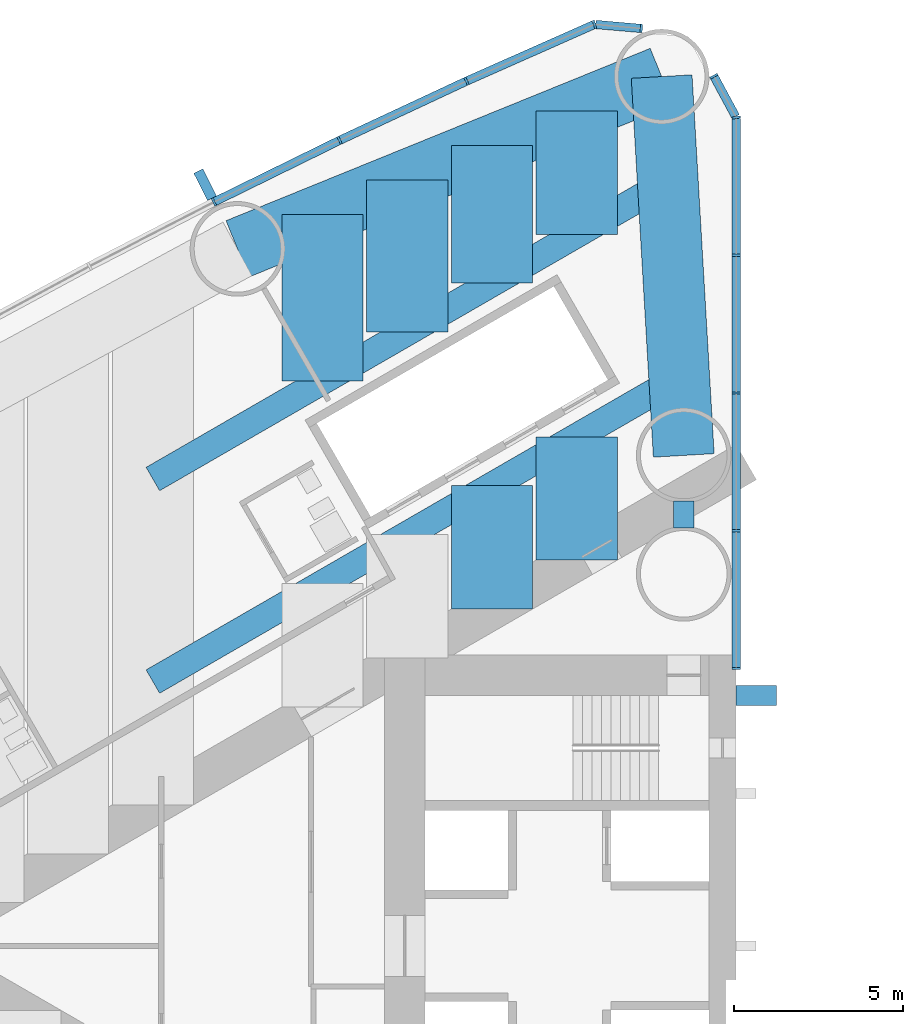
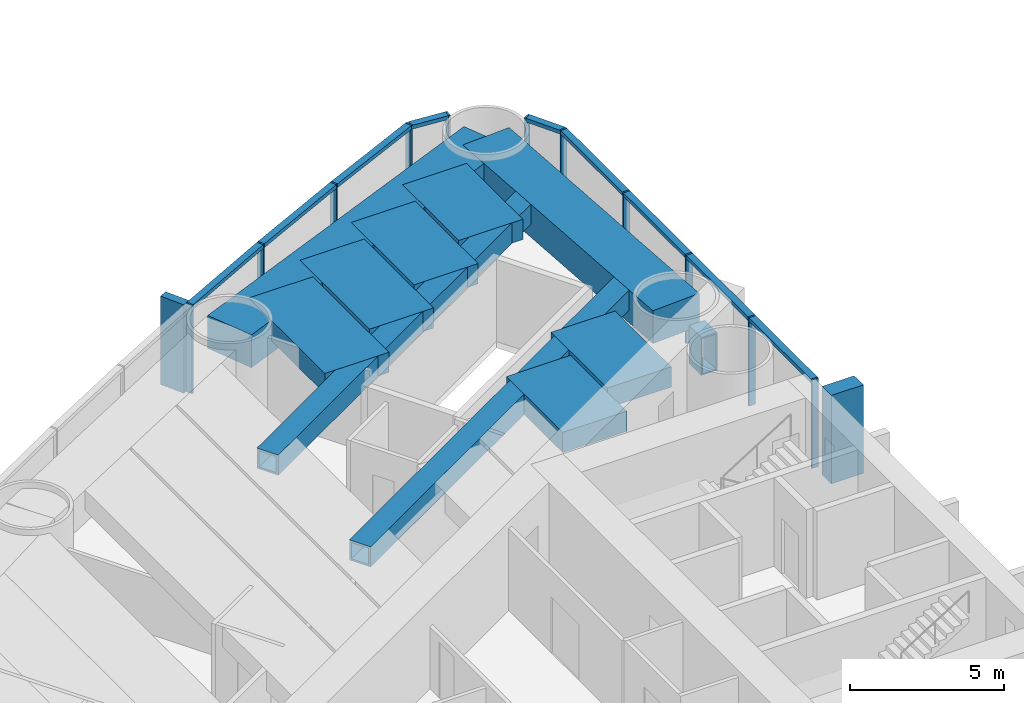
# One storey, part 5 of 19: 22 members, 11 beams, 2 elements without a shape of their own.
"""IFC4 building model written with IfcOpenShell, lengths in metres."""

import ifcopenshell
import ifcopenshell.guid

model = None  # the IFC model being written
_history = None  # IfcOwnerHistory: only IFC2X3 demands one
_inside = {}  # id of a spatial element -> (the spatial element, [elements in it])
_under = {}  # id of a project, library or spatial element -> (it, [spatial elements below it])
_declared = {}  # id of a project -> (the project, [libraries it declares])
_typed = {}  # id of a type object -> (the type object, [elements of that type])
_made_of = {}  # id of a material, layer set ... -> (it, [elements and type objects made of it])


def new_model(schema):
    """Start an empty IFC model of exactly this schema.

    Asked for "IFC4X3", IfcOpenShell would pick the latest addendum, in which some entities
    have other attributes; the version numbers below select the first issue.
    IFC2X3 requires an IfcOwnerHistory on every rooted entity: one is made here for all.
    """
    global model, _history
    if schema == "IFC4X3":
        model = ifcopenshell.file(schema_version=(4, 3, 0, 0))
    else:
        model = ifcopenshell.file(schema=schema)
    _inside.clear()
    _under.clear()
    _declared.clear()
    _typed.clear()
    _made_of.clear()
    _history = None
    if model.schema == "IFC2X3":
        org = make("IfcOrganization", Name="unknown")
        user = make(
            "IfcPersonAndOrganization",
            ThePerson=make("IfcPerson", FamilyName="unknown"),
            TheOrganization=org,
        )
        app = make(
            "IfcApplication",
            ApplicationDeveloper=org,
            Version="unknown",
            ApplicationFullName="unknown",
            ApplicationIdentifier="unknown",
        )
        _history = make(
            "IfcOwnerHistory",
            OwningUser=user,
            OwningApplication=app,
            ChangeAction="ADDED",
            CreationDate=0,
        )
    return model


def make(cls, **values):
    """One entity of the class cls with the attributes given. An attribute that is None is left unset."""
    return model.create_entity(
        cls, **{name: value for name, value in values.items() if value is not None}
    )


def rooted(cls, **values):
    """An entity with a GlobalId (a new one), such as an element, a storey or a relation."""
    return make(cls, GlobalId=ifcopenshell.guid.new(), OwnerHistory=_history, **values)


def si_unit(unit_type, name, prefix=None):
    """IfcSIUnit, for example si_unit("LENGTHUNIT", "METRE", prefix="MILLI")."""
    return make("IfcSIUnit", UnitType=unit_type, Prefix=prefix, Name=name)


def assignment(units):
    """IfcUnitAssignment: the units of a project."""
    return None if units is None else make("IfcUnitAssignment", Units=units)


def point(xyz):
    """IfcCartesianPoint."""
    return None if xyz is None else make("IfcCartesianPoint", Coordinates=xyz)


def direction(xyz):
    """IfcDirection."""
    return None if xyz is None else make("IfcDirection", DirectionRatios=xyz)


def frame(location, z_axis=None, x_axis=None):
    """IfcAxis2Placement3D, a coordinate frame: its origin and axes. An axis left out is left unset."""
    return make(
        "IfcAxis2Placement3D",
        Location=point(location),
        Axis=direction(z_axis),
        RefDirection=direction(x_axis),
    )


def frame_2d(location, x_axis=None):
    """IfcAxis2Placement2D, a coordinate frame in the plane: its origin and x axis."""
    return make(
        "IfcAxis2Placement2D", Location=point(location), RefDirection=direction(x_axis)
    )


def origin():
    """The frame at (0, 0, 0) with its axes left unset."""
    return frame((0.0, 0.0, 0.0))


def origin_2d():
    """The frame at (0, 0) in the plane with its x axis left unset."""
    return frame_2d((0.0, 0.0))


def place(relative_to, where):
    """IfcLocalPlacement: puts the frame where relative to a parent placement (None: the world)."""
    return make(
        "IfcLocalPlacement", PlacementRelTo=relative_to, RelativePlacement=where
    )


def context(
    kind, dimensions, precision=None, world=None, true_north=None, identifier=None
):
    """IfcGeometricRepresentationContext, for example the 3D "Model" context."""
    return make(
        "IfcGeometricRepresentationContext",
        ContextIdentifier=identifier,
        ContextType=kind,
        CoordinateSpaceDimension=dimensions,
        Precision=precision,
        WorldCoordinateSystem=world,
        TrueNorth=true_north,
    )


def subcontext(parent, identifier, kind, view, scale=None):
    """IfcGeometricRepresentationSubContext, for example "Body" below "Model"."""
    return make(
        "IfcGeometricRepresentationSubContext",
        ContextIdentifier=identifier,
        ContextType=kind,
        ParentContext=parent,
        TargetScale=scale,
        TargetView=view,
    )


def project(units=None, contexts=None):
    """IfcProject with its units and contexts."""
    return rooted(
        "IfcProject",
        Name="project",
        RepresentationContexts=contexts,
        UnitsInContext=assignment(units),
    )


def spatial(cls, under=None, at=None, **own):
    """A site, building, storey or space (cls), placed at a placement, below another one or the project."""
    s = rooted(cls, ObjectPlacement=at, **own)
    if under is not None:
        _under.setdefault(under.id(), (under, []))[1].append(s)
    return s


def profile(cls, at=None, kind="AREA", **sizes):
    """A parametric profile (cls). Its sizes go by their IFC names, for example OverallWidth=200.0."""
    return make(cls, ProfileType=kind, Position=at, **sizes)


def rectangle(**sizes):
    """IfcRectangleProfileDef."""
    return profile("IfcRectangleProfileDef", **sizes)


def hollow_rectangle(**sizes):
    """IfcRectangleHollowProfileDef."""
    return profile("IfcRectangleHollowProfileDef", **sizes)


def extrude(swept, where, along, depth):
    """IfcExtrudedAreaSolid: the profile swept, set in the frame where, extruded along a direction by depth."""
    return make(
        "IfcExtrudedAreaSolid",
        SweptArea=swept,
        Position=where,
        ExtrudedDirection=direction(along),
        Depth=depth,
    )


def shape(context_of_items, identifier, shape_type, items):
    """IfcShapeRepresentation: the items that make up one representation, for example the "Body"."""
    return make(
        "IfcShapeRepresentation",
        ContextOfItems=context_of_items,
        RepresentationIdentifier=identifier,
        RepresentationType=shape_type,
        Items=items,
    )


def material(Name=None, Category=None):
    """IfcMaterial."""
    return make("IfcMaterial", Name=Name, Category=Category)


def material_profile(
    of_material, cross_section, Name=None, Category=None, Priority=None
):
    """IfcMaterialProfile: a cross section and its material."""
    return make(
        "IfcMaterialProfile",
        Name=Name,
        Material=of_material,
        Profile=cross_section,
        Priority=Priority,
        Category=Category,
    )


def profile_set(profiles, Name=None, composite=None):
    """IfcMaterialProfileSet."""
    return make(
        "IfcMaterialProfileSet",
        Name=Name,
        MaterialProfiles=profiles,
        CompositeProfile=composite,
    )


def made_of(thing, what):
    """Note that an element or type object is made of a material, layer set ...; save() writes the relation."""
    if what is not None:
        _made_of.setdefault(what.id(), (what, []))[1].append(thing)
    return thing


def type_object(cls, material=None, **own):
    """A type object (cls), such as IfcWallType, which elements share."""
    return made_of(rooted(cls, **own), material)


def element(
    cls,
    number,
    at=None,
    inside=None,
    cuts=None,
    type_object=None,
    material=None,
    context=None,
    identifier="Body",
    shape_type=None,
    held_by="IfcProductDefinitionShape",
    body=None,
    shapes=None,
    **own,
):
    """One element of the class cls, such as IfcWall. Its Tag is "e" and its number.

    at: its placement. inside: the storey or other place that contains it. cuts: it is an
    opening in that element (IfcRelVoidsElement). A single representation is given by context,
    identifier, shape_type and body (its items); several are given by shapes. held_by: the class
    of the entity that holds the representations. save() writes the other relations.
    """
    e = rooted(cls, Tag="e%d" % number, ObjectPlacement=at, **own)
    if body is not None:
        shapes = [shape(context, identifier, shape_type, body)]
    if shapes is not None:
        e.Representation = make(held_by, Representations=shapes)
    if inside is not None:
        _inside.setdefault(inside.id(), (inside, []))[1].append(e)
    if cuts is not None:
        rooted(
            "IfcRelVoidsElement", RelatingBuildingElement=cuts, RelatedOpeningElement=e
        )
    if type_object is not None:
        _typed.setdefault(type_object.id(), (type_object, []))[1].append(e)
    return made_of(e, material)


def aggregate(whole, parts):
    """IfcRelAggregates: a whole, such as a stair, and the parts it consists of."""
    return rooted("IfcRelAggregates", RelatingObject=whole, RelatedObjects=parts)


def save(model, path):
    """Write the relations noted so far, then the file.

    IfcRelAggregates (storeys below a building ...), IfcRelContainedInSpatialStructure (elements
    in a storey), IfcRelDefinesByType, IfcRelAssociatesMaterial and IfcRelDeclares: one each for
    every whole, place, type object, material and project.
    """
    for whole, parts in _under.values():
        aggregate(whole, parts)
    for where, things in _inside.values():
        rooted(
            "IfcRelContainedInSpatialStructure",
            RelatedElements=things,
            RelatingStructure=where,
        )
    for kind, things in _typed.values():
        rooted("IfcRelDefinesByType", RelatedObjects=things, RelatingType=kind)
    for what, things in _made_of.values():
        rooted("IfcRelAssociatesMaterial", RelatedObjects=things, RelatingMaterial=what)
    for by, libraries in _declared.values():
        rooted("IfcRelDeclares", RelatingContext=by, RelatedDefinitions=libraries)
    model.write(path)


model = new_model("IFC4")

# Units and contexts
model_context = context("Model", 3, precision=1e-05, world=origin(), true_north=direction((0.0, 1.0)))
body_context = subcontext(model_context, "Body", "Model", "MODEL_VIEW")
ifc_project = project(units=[si_unit("LENGTHUNIT", "METRE"), si_unit("AREAUNIT", "SQUARE_METRE"), si_unit("VOLUMEUNIT", "CUBIC_METRE"), si_unit("PLANEANGLEUNIT", "RADIAN"), si_unit("MASSUNIT", "GRAM", prefix="KILO")], contexts=[model_context])

# Site, building, storey
site_placement = place(None, origin())
site = spatial("IfcSite", under=ifc_project, at=site_placement, CompositionType="ELEMENT")
building_placement = place(site_placement, origin())
building = spatial("IfcBuilding", under=site, at=building_placement, Name="Lancet Gate Hotel", CompositionType="ELEMENT")
storey_placement = place(building_placement, frame((0.0, 0.0, 67.0)))
storey = spatial("IfcBuildingStorey", under=building, at=storey_placement, Name="L17", CompositionType="ELEMENT", Elevation=67.0)

# Curtain wall, members
ifc_material_1 = material(Name="Aluminium curtain wall", Category="aluminium")
curtain_wall_type = type_object("IfcCurtainWallType", Name="Tower unitised curtain wall", PredefinedType="USERDEFINED", material=ifc_material_1)
curtain_wall_1_placement = place(storey_placement, origin())
curtain_wall_1 = element("IfcCurtainWall", 1, at=curtain_wall_1_placement, inside=storey, type_object=curtain_wall_type, Name="T1 L17 curtain wall 1", ObjectType="UNITISED CURTAIN WALL", PredefinedType="USERDEFINED")
ifc_material_2 = material(Name="Aluminium mullion", Category="aluminium")
ifc_material_profile_1 = material_profile(ifc_material_2, rectangle(XDim=0.06494140625, YDim=0.25, at=origin_2d()), Name="MULLION 65x250")
ifc_profile_set_1 = profile_set([ifc_material_profile_1], Name="Aluminium mullion")
member_type_1 = type_object("IfcMemberType", Name="Aluminium mullion 65x250", PredefinedType="MULLION", material=ifc_profile_set_1)
member_1_placement = place(storey_placement, frame((-27.5, 8.199951171875, 0.0), z_axis=(0.0, 0.0, 1.0), x_axis=(0.0, 1.0, 0.0)))
member_1 = element("IfcMember", 2, at=member_1_placement, type_object=member_type_1, Name="T1 L17 curtain wall 1 mullion 1", PredefinedType="MULLION", context=body_context, shape_type="SweptSolid", body=[
    extrude(rectangle(XDim=0.06494140625, YDim=0.25, at=origin_2d()), origin(), (0.0, 0.0, 1.0), 3.5),
])
member_2_placement = place(storey_placement, frame((-27.5, 12.272705078125, 0.0), z_axis=(0.0, 0.0, 1.0), x_axis=(0.0, 1.0, 0.0)))
member_2 = element("IfcMember", 3, at=member_2_placement, type_object=member_type_1, Name="T1 L17 curtain wall 1 mullion 2", PredefinedType="MULLION", context=body_context, shape_type="SweptSolid", body=[
    extrude(rectangle(XDim=0.06494140625, YDim=0.25, at=origin_2d()), origin(), (0.0, 0.0, 1.0), 3.5),
])
member_3_placement = place(storey_placement, frame((-27.5, 16.345703125, 0.0), z_axis=(0.0, 0.0, 1.0), x_axis=(0.0, 1.0, 0.0)))
member_3 = element("IfcMember", 4, at=member_3_placement, type_object=member_type_1, Name="T1 L17 curtain wall 1 mullion 3", PredefinedType="MULLION", context=body_context, shape_type="SweptSolid", body=[
    extrude(rectangle(XDim=0.06494140625, YDim=0.25, at=origin_2d()), origin(), (0.0, 0.0, 1.0), 3.5),
])
member_4_placement = place(storey_placement, frame((-27.5, 20.41845703125, 0.0), z_axis=(0.0, 0.0, 1.0), x_axis=(0.0, 1.0, 0.0)))
member_4 = element("IfcMember", 5, at=member_4_placement, type_object=member_type_1, Name="T1 L17 curtain wall 1 mullion 4", PredefinedType="MULLION", context=body_context, shape_type="SweptSolid", body=[
    extrude(rectangle(XDim=0.06494140625, YDim=0.25, at=origin_2d()), origin(), (0.0, 0.0, 1.0), 3.5),
])
member_5_placement = place(storey_placement, frame((-27.5, 24.4912109375, 0.0), z_axis=(0.0, 0.0, 1.0), x_axis=(-0.123482502544, 0.992346749662, 0.0)))
member_5 = element("IfcMember", 6, at=member_5_placement, type_object=member_type_1, Name="T1 L17 curtain wall 1 mullion 5", PredefinedType="MULLION", context=body_context, shape_type="SweptSolid", body=[
    extrude(rectangle(XDim=0.06494140625, YDim=0.25, at=origin_2d()), origin(), (0.0, 0.0, 1.0), 3.5),
])
member_6_placement = place(storey_placement, frame((-28.158935546875, 25.712890625, 0.0), z_axis=(0.0, 0.0, 1.0), x_axis=(-0.474631040972, 0.880184852714, 0.0)))
member_6 = element("IfcMember", 7, at=member_6_placement, type_object=member_type_1, Name="T1 L17 curtain wall 1 mullion 6", PredefinedType="MULLION", context=body_context, shape_type="SweptSolid", body=[
    extrude(rectangle(XDim=0.06494140625, YDim=0.25, at=origin_2d()), origin(), (0.0, 0.0, 1.0), 3.5),
])

curtain_wall_2_placement = place(storey_placement, origin())
curtain_wall_2 = element("IfcCurtainWall", 8, at=curtain_wall_2_placement, inside=storey, type_object=curtain_wall_type, Name="T1 L17 curtain wall 2", ObjectType="UNITISED CURTAIN WALL", PredefinedType="USERDEFINED")
member_7_placement = place(storey_placement, frame((-30.3046875, 27.124755859375, 0.0), z_axis=(0.0, 0.0, 1.0), x_axis=(-0.99620380374, 0.087051602022, 0.0)))
member_7 = element("IfcMember", 9, at=member_7_placement, type_object=member_type_1, Name="T1 L17 curtain wall 2 mullion 1", PredefinedType="MULLION", context=body_context, shape_type="SweptSolid", body=[
    extrude(rectangle(XDim=0.06494140625, YDim=0.25, at=origin_2d()), origin(), (0.0, 0.0, 1.0), 3.5),
])
member_8_placement = place(storey_placement, frame((-31.688720703125, 27.24560546875, 0.0), z_axis=(0.0, 0.0, 1.0), x_axis=(-0.957524354695, -0.288352406209, 0.0)))
member_8 = element("IfcMember", 10, at=member_8_placement, type_object=member_type_1, Name="T1 L17 curtain wall 2 mullion 2", PredefinedType="MULLION", context=body_context, shape_type="SweptSolid", body=[
    extrude(rectangle(XDim=0.06494140625, YDim=0.25, at=origin_2d()), origin(), (0.0, 0.0, 1.0), 3.5),
])
member_9_placement = place(storey_placement, frame((-35.473876953125, 25.568115234375, 0.0), z_axis=(0.0, 0.0, 1.0), x_axis=(-0.910219680212, -0.414125746308, 0.0)))
member_9 = element("IfcMember", 11, at=member_9_placement, type_object=member_type_1, Name="T1 L17 curtain wall 2 mullion 3", PredefinedType="MULLION", context=body_context, shape_type="SweptSolid", body=[
    extrude(rectangle(XDim=0.06494140625, YDim=0.25, at=origin_2d()), origin(), (0.0, 0.0, 1.0), 3.5),
])
member_10_placement = place(storey_placement, frame((-39.225341796875, 23.816650390625, 0.0), z_axis=(0.0, 0.0, 1.0), x_axis=(-0.901928838337, -0.431884672772, 0.0)))
member_10 = element("IfcMember", 12, at=member_10_placement, type_object=member_type_1, Name="T1 L17 curtain wall 2 mullion 4", PredefinedType="MULLION", context=body_context, shape_type="SweptSolid", body=[
    extrude(rectangle(XDim=0.06494140625, YDim=0.25, at=origin_2d()), origin(), (0.0, 0.0, 1.0), 3.5),
])
member_11_placement = place(storey_placement, frame((-42.94189453125, 21.991943359375, 0.0), z_axis=(0.0, 0.0, 1.0), x_axis=(-0.893291549794, -0.449477704748, 0.0)))
member_11 = element("IfcMember", 13, at=member_11_placement, type_object=member_type_1, Name="T1 L17 curtain wall 2 mullion 5", PredefinedType="MULLION", context=body_context, shape_type="SweptSolid", body=[
    extrude(rectangle(XDim=0.06494140625, YDim=0.25, at=origin_2d()), origin(), (0.0, 0.0, 1.0), 3.5),
])

# Member
ifc_material_3 = material(Name="Aluminium transom", Category="aluminium")
ifc_material_profile_2 = material_profile(ifc_material_3, rectangle(XDim=0.25, YDim=0.14990234375, at=origin_2d()), Name="TRANSOM 250x150")
ifc_profile_set_2 = profile_set([ifc_material_profile_2], Name="Aluminium transom")
member_type_2 = type_object("IfcMemberType", Name="Aluminium transom 250x150", PredefinedType="USERDEFINED", material=ifc_profile_set_2)
member_12_placement = place(storey_placement, frame((-27.5, 8.232421875, 3.425048828125), z_axis=(0.0, 1.0, 0.0), x_axis=(-1.0, 0.0, 0.0)))
member_12 = element("IfcMember", 14, at=member_12_placement, type_object=member_type_2, Name="T1 L17 curtain wall 1 transom 1", ObjectType="TRANSOM", PredefinedType="USERDEFINED", context=body_context, shape_type="SweptSolid", body=[
    extrude(rectangle(XDim=0.25, YDim=0.14990234375, at=origin_2d()), origin(), (0.0, 0.0, 1.0), 4.0078125),
])

member_13_placement = place(storey_placement, frame((-27.5, 12.30517578125, 3.425048828125), z_axis=(0.0, 1.0, 0.0), x_axis=(-1.0, 0.0, 0.0)))
member_13 = element("IfcMember", 15, at=member_13_placement, type_object=member_type_2, Name="T1 L17 curtain wall 1 transom 2", ObjectType="TRANSOM", PredefinedType="USERDEFINED", context=body_context, shape_type="SweptSolid", body=[
    extrude(rectangle(XDim=0.25, YDim=0.14990234375, at=origin_2d()), origin(), (0.0, 0.0, 1.0), 4.0078125),
])

member_14_placement = place(storey_placement, frame((-27.5, 16.378173828125, 3.425048828125), z_axis=(0.0, 1.0, 0.0), x_axis=(-1.0, 0.0, 0.0)))
member_14 = element("IfcMember", 16, at=member_14_placement, type_object=member_type_2, Name="T1 L17 curtain wall 1 transom 3", ObjectType="TRANSOM", PredefinedType="USERDEFINED", context=body_context, shape_type="SweptSolid", body=[
    extrude(rectangle(XDim=0.25, YDim=0.14990234375, at=origin_2d()), origin(), (0.0, 0.0, 1.0), 4.0078125),
])

member_15_placement = place(storey_placement, frame((-27.5, 20.450927734375, 3.425048828125), z_axis=(0.0, 1.0, 0.0), x_axis=(-1.0, 0.0, 0.0)))
member_15 = element("IfcMember", 17, at=member_15_placement, type_object=member_type_2, Name="T1 L17 curtain wall 1 transom 4", ObjectType="TRANSOM", PredefinedType="USERDEFINED", context=body_context, shape_type="SweptSolid", body=[
    extrude(rectangle(XDim=0.25, YDim=0.14990234375, at=origin_2d()), origin(), (0.0, 0.0, 1.0), 4.0078125),
])

member_16_placement = place(storey_placement, frame((-27.515380859375, 24.519775390625, 3.425048828125), z_axis=(-0.474605926905, 0.880198394765, 0.0), x_axis=(-0.880198394765, -0.474605926905, 0.0)))
member_16 = element("IfcMember", 18, at=member_16_placement, type_object=member_type_2, Name="T1 L17 curtain wall 1 transom 5", ObjectType="TRANSOM", PredefinedType="USERDEFINED", context=body_context, shape_type="SweptSolid", body=[
    extrude(rectangle(XDim=0.25, YDim=0.14990234375, at=origin_2d()), origin(), (0.0, 0.0, 1.0), 1.322998046875),
])

aggregate(curtain_wall_1, [member_1, member_2, member_3, member_4, member_5, member_6, member_12, member_13, member_14, member_15, member_16])

member_17_placement = place(storey_placement, frame((-30.337158203125, 27.127685546875, 3.425048828125), z_axis=(-0.99620591587, 0.087027427779, 0.0), x_axis=(-0.087027427779, -0.99620591587, 0.0)))
member_17 = element("IfcMember", 19, at=member_17_placement, type_object=member_type_2, Name="T1 L17 curtain wall 2 transom 1", ObjectType="TRANSOM", PredefinedType="USERDEFINED", context=body_context, shape_type="SweptSolid", body=[
    extrude(rectangle(XDim=0.25, YDim=0.14990234375, at=origin_2d()), origin(), (0.0, 0.0, 1.0), 1.32421875),
])

member_18_placement = place(storey_placement, frame((-31.71826171875, 27.232421875, 3.425048828125), z_axis=(-0.914248281954, -0.405154389022, 0.0), x_axis=(0.405154389022, -0.914248281954, 0.0)))
member_18 = element("IfcMember", 20, at=member_18_placement, type_object=member_type_2, Name="T1 L17 curtain wall 2 transom 2", ObjectType="TRANSOM", PredefinedType="USERDEFINED", context=body_context, shape_type="SweptSolid", body=[
    extrude(rectangle(XDim=0.25, YDim=0.14990234375, at=origin_2d()), origin(), (0.0, 0.0, 1.0), 4.0751953125),
])

member_19_placement = place(storey_placement, frame((-35.503173828125, 25.554443359375, 3.425048828125), z_axis=(-0.906109667261, -0.423042871228, 0.0), x_axis=(0.423042871228, -0.906109667261, 0.0)))
member_19 = element("IfcMember", 21, at=member_19_placement, type_object=member_type_2, Name="T1 L17 curtain wall 2 transom 3", ObjectType="TRANSOM", PredefinedType="USERDEFINED", context=body_context, shape_type="SweptSolid", body=[
    extrude(rectangle(XDim=0.25, YDim=0.14990234375, at=origin_2d()), origin(), (0.0, 0.0, 1.0), 4.075439453125),
])

member_20_placement = place(storey_placement, frame((-39.254638671875, 23.80224609375, 3.425048828125), z_axis=(-0.897662439958, -0.440683723194, 0.0), x_axis=(0.440683723194, -0.897662439958, 0.0)))
member_20 = element("IfcMember", 22, at=member_20_placement, type_object=member_type_2, Name="T1 L17 curtain wall 2 transom 4", ObjectType="TRANSOM", PredefinedType="USERDEFINED", context=body_context, shape_type="SweptSolid", body=[
    extrude(rectangle(XDim=0.25, YDim=0.14990234375, at=origin_2d()), origin(), (0.0, 0.0, 1.0), 4.0751953125),
])

# Beams
ifc_material_4 = material(Name="Concrete C50/60", Category="concrete")
ifc_material_profile_3 = material_profile(ifc_material_4, rectangle(XDim=1.800048828125, YDim=1.300048828125, at=origin_2d()), Name="RC 1800x1300")
ifc_profile_set_3 = profile_set([ifc_material_profile_3], Name="Concrete C50/60")
beam_type_1 = type_object("IfcBeamType", Name="Edge beam RC 1800x1300", PredefinedType="SPANDREL", material=ifc_profile_set_3)
beam_1_placement = place(storey_placement, frame((-29.703369140625, 25.70263671875, 2.60009765625), z_axis=(-0.926463236197, -0.376385270667, 0.0), x_axis=(0.376385270667, -0.926463236197, 0.0)))
element("IfcBeam", 23, at=beam_1_placement, inside=storey, type_object=beam_type_1, Name="T1 edge beam EB1 L17", PredefinedType="SPANDREL", context=body_context, shape_type="SweptSolid", body=[
    extrude(rectangle(XDim=1.800048828125, YDim=1.300048828125, at=origin_2d()), origin(), (0.0, 0.0, 1.0), 13.537353515625),
])
beam_2_placement = place(storey_placement, frame((-29.703369140625, 25.70263671875, 2.60009765625), z_axis=(0.058219521912, -0.998303805096, 0.0), x_axis=(0.998303805096, 0.058219521912, 0.0)))
element("IfcBeam", 24, at=beam_2_placement, inside=storey, type_object=beam_type_1, Name="T1 edge beam EB1 L17", PredefinedType="SPANDREL", context=body_context, shape_type="SweptSolid", body=[
    extrude(rectangle(XDim=1.800048828125, YDim=1.300048828125, at=origin_2d()), origin(), (0.0, 0.0, 1.0), 11.2216796875),
])

# Member
ifc_material_5 = material(Name="Concrete C60/75", Category="concrete")
ifc_material_profile_4 = material_profile(ifc_material_5, rectangle(XDim=0.60009765625, YDim=1.199951171875, at=origin_2d()), Name="FIN 600x1200")
ifc_profile_set_4 = profile_set([ifc_material_profile_4], Name="Concrete C60/75")
member_type_3 = type_object("IfcMemberType", Name="Exposed concrete buttress pilaster 600x1200", PredefinedType="USERDEFINED", material=ifc_profile_set_4)
member_21_placement = place(storey_placement, frame((-26.909912109375, 7.39990234375, 0.0), z_axis=(0.0, 0.0, 1.0), x_axis=(0.0, 1.0, 0.0)))
element("IfcMember", 25, at=member_21_placement, inside=storey, type_object=member_type_3, Name="T1 buttress pilaster S L17", ObjectType="FIN", PredefinedType="USERDEFINED", context=body_context, shape_type="SweptSolid", body=[
    extrude(rectangle(XDim=0.60009765625, YDim=1.199951171875, at=origin_2d()), origin(), (0.0, 0.0, 1.0), 3.5),
])

ifc_material_6 = material(Name="Precast concrete C50/60", Category="concrete")
ifc_material_profile_5 = material_profile(ifc_material_6, rectangle(XDim=0.300048828125, YDim=0.89990234375, at=origin_2d()), Name="FIN 300x900")
ifc_profile_set_5 = profile_set([ifc_material_profile_5], Name="Precast concrete C50/60")
member_type_4 = type_object("IfcMemberType", Name="Exposed concrete fin 300x900", PredefinedType="USERDEFINED", material=ifc_profile_set_5)
member_22_placement = place(storey_placement, frame((-43.200439453125, 22.505615234375, 0.0), z_axis=(0.0, 0.0, 1.0), x_axis=(-0.893291549794, -0.449477704748, 0.0)))
member_22 = element("IfcMember", 26, at=member_22_placement, type_object=member_type_4, Name="T1 L17 curtain wall 2 fin 5", ObjectType="FIN", PredefinedType="USERDEFINED", context=body_context, shape_type="SweptSolid", body=[
    extrude(rectangle(XDim=0.300048828125, YDim=0.89990234375, at=origin_2d()), origin(), (0.0, 0.0, 1.0), 3.5),
])

aggregate(curtain_wall_2, [member_7, member_8, member_9, member_10, member_11, member_22, member_17, member_18, member_19, member_20])

# Beams
ifc_material_7 = material(Name="Concrete C50/60", Category="concrete")
ifc_material_profile_6 = material_profile(ifc_material_7, rectangle(XDim=2.39990234375, YDim=0.800048828125, at=origin_2d()), Name="RC 2400x800")
ifc_profile_set_6 = profile_set([ifc_material_profile_6], Name="Concrete C50/60")
beam_type_2 = type_object("IfcBeamType", Name="Floor beam RC 2400x800", PredefinedType="BEAM", material=ifc_profile_set_6)
beam_3_placement = place(storey_placement, frame((-32.213623046875, 24.682861328125, 2.85009765625), z_axis=(0.0, -1.0, 0.0), x_axis=(1.0, 0.0, 0.0)))
element("IfcBeam", 27, at=beam_3_placement, inside=storey, type_object=beam_type_2, Name="T1 floor beam F02SA L17", PredefinedType="BEAM", context=body_context, shape_type="SweptSolid", body=[
    extrude(rectangle(XDim=2.39990234375, YDim=0.800048828125, at=origin_2d()), origin(), (0.0, 0.0, 1.0), 3.643798828125),
])
beam_4_placement = place(storey_placement, frame((-32.213623046875, 15.051025390625, 2.85009765625), z_axis=(0.0, -1.0, 0.0), x_axis=(1.0, 0.0, 0.0)))
element("IfcBeam", 28, at=beam_4_placement, inside=storey, type_object=beam_type_2, Name="T1 floor beam F02SB L17", PredefinedType="BEAM", context=body_context, shape_type="SweptSolid", body=[
    extrude(rectangle(XDim=2.39990234375, YDim=0.800048828125, at=origin_2d()), origin(), (0.0, 0.0, 1.0), 3.645751953125),
])
beam_5_placement = place(storey_placement, frame((-34.720458984375, 23.664306640625, 2.85009765625), z_axis=(0.0, -1.0, 0.0), x_axis=(1.0, 0.0, 0.0)))
element("IfcBeam", 29, at=beam_5_placement, inside=storey, type_object=beam_type_2, Name="T1 floor beam F04SA L17", PredefinedType="BEAM", context=body_context, shape_type="SweptSolid", body=[
    extrude(rectangle(XDim=2.39990234375, YDim=0.800048828125, at=origin_2d()), origin(), (0.0, 0.0, 1.0), 4.07275390625),
])
beam_6_placement = place(storey_placement, frame((-34.720458984375, 13.603759765625, 2.85009765625), z_axis=(0.0, -1.0, 0.0), x_axis=(1.0, 0.0, 0.0)))
element("IfcBeam", 30, at=beam_6_placement, inside=storey, type_object=beam_type_2, Name="T1 floor beam F04SB L17", PredefinedType="BEAM", context=body_context, shape_type="SweptSolid", body=[
    extrude(rectangle(XDim=2.39990234375, YDim=0.800048828125, at=origin_2d()), origin(), (0.0, 0.0, 1.0), 3.645751953125),
])
beam_7_placement = place(storey_placement, frame((-37.227294921875, 22.64599609375, 2.85009765625), z_axis=(0.0, -1.0, 0.0), x_axis=(1.0, 0.0, 0.0)))
element("IfcBeam", 31, at=beam_7_placement, inside=storey, type_object=beam_type_2, Name="T1 floor beam F05SA L17", PredefinedType="BEAM", context=body_context, shape_type="SweptSolid", body=[
    extrude(rectangle(XDim=2.39990234375, YDim=0.800048828125, at=origin_2d()), origin(), (0.0, 0.0, 1.0), 4.501953125),
])
beam_8_placement = place(storey_placement, frame((-39.734130859375, 21.627685546875, 2.85009765625), z_axis=(0.0, -1.0, 0.0), x_axis=(1.0, 0.0, 0.0)))
element("IfcBeam", 32, at=beam_8_placement, inside=storey, type_object=beam_type_2, Name="T1 floor beam F07SA L17", PredefinedType="BEAM", context=body_context, shape_type="SweptSolid", body=[
    extrude(rectangle(XDim=2.39990234375, YDim=0.800048828125, at=origin_2d()), origin(), (0.0, 0.0, 1.0), 4.93115234375),
])
ifc_material_8 = material(Name="Steel S460QL", Category="steel")
ifc_material_profile_7 = material_profile(ifc_material_8, hollow_rectangle(XDim=0.60009765625, YDim=1.5, WallThickness=0.050048828125, at=origin_2d()), Name="BOX 1500x600x50")
ifc_profile_set_7 = profile_set([ifc_material_profile_7], Name="Steel S460QL")
beam_type_3 = type_object("IfcBeamType", Name="Inner-face link beam BOX 1500x600x50", PredefinedType="BEAM", material=ifc_profile_set_7)
beam_9_placement = place(storey_placement, frame((-29.050048828125, 13.14990234375, 2.5), z_axis=(0.0, -1.0, 0.0), x_axis=(1.0, 0.0, 0.0)))
element("IfcBeam", 33, at=beam_9_placement, inside=storey, type_object=beam_type_3, Name="T1 inner-face link beam LK1 L17", PredefinedType="BEAM", context=body_context, shape_type="SweptSolid", body=[
    extrude(hollow_rectangle(XDim=0.60009765625, YDim=1.5, WallThickness=0.050048828125, at=origin_2d()), origin(), (0.0, 0.0, 1.0), 0.7998046875),
])
ifc_material_9 = material(Name="Steel S460QL", Category="steel")
ifc_material_profile_8 = material_profile(ifc_material_9, hollow_rectangle(XDim=0.800048828125, YDim=0.800048828125, WallThickness=0.080078125, at=origin_2d()), Name="BOX 800x800x80")
ifc_profile_set_8 = profile_set([ifc_material_profile_8], Name="Steel S460QL")
beam_type_4 = type_object("IfcBeamType", Name="Trimmer beam BOX 800x800x80", PredefinedType="BEAM", material=ifc_profile_set_8)
beam_10_placement = place(storey_placement, frame((-29.18408203125, 16.800537109375, 2.85009765625), z_axis=(-0.865998945969, -0.500045823481, 0.0), x_axis=(0.500045823481, -0.865998945969, 0.0)))
element("IfcBeam", 34, at=beam_10_placement, inside=storey, type_object=beam_type_4, Name="T1 trimmer beam TR01S L17", PredefinedType="BEAM", context=body_context, shape_type="SweptSolid", body=[
    extrude(hollow_rectangle(XDim=0.800048828125, YDim=0.800048828125, WallThickness=0.080078125, at=origin_2d()), origin(), (0.0, 0.0, 1.0), 17.971923828125),
])
beam_11_placement = place(storey_placement, frame((-29.52197265625, 22.59326171875, 2.85009765625), z_axis=(-0.866004054636, -0.500036975987, 0.0), x_axis=(0.500036975987, -0.866004054636, 0.0)))
element("IfcBeam", 35, at=beam_11_placement, inside=storey, type_object=beam_type_4, Name="T1 trimmer beam TR02S L17", PredefinedType="BEAM", context=body_context, shape_type="SweptSolid", body=[
    extrude(hollow_rectangle(XDim=0.800048828125, YDim=0.800048828125, WallThickness=0.080078125, at=origin_2d()), origin(), (0.0, 0.0, 1.0), 17.581787109375),
])

save(model, "model.ifc")
